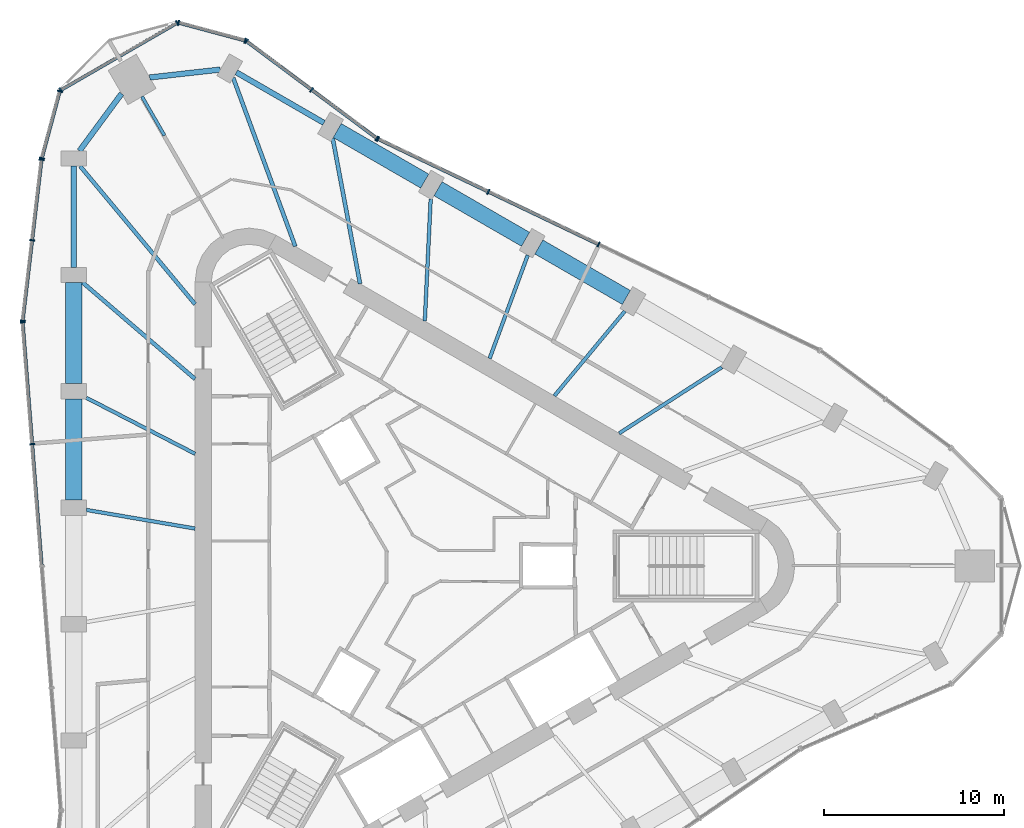
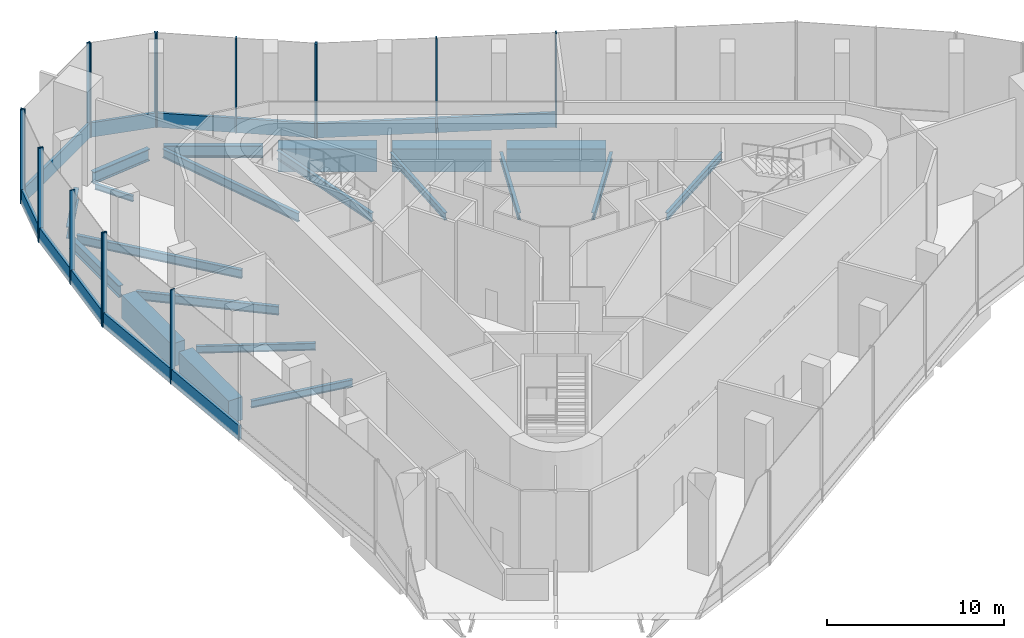
# One storey, part 4 of 13: 28 members, 20 beams, 7 elements without a shape of their own.
"""IFC4 building model written with IfcOpenShell, lengths in metres."""

from ifc_helpers import new_model, si_unit, direction, frame, origin, origin_2d, place, context, subcontext, project, spatial, rectangle, i_section, extrude, material, material_profile, profile_set, type_object, element, aggregate, save


model = new_model("IFC4")

# Units and contexts
model_context = context("Model", 3, precision=1e-05, world=origin(), true_north=direction((0.0, 1.0)))
body_context = subcontext(model_context, "Body", "Model", "MODEL_VIEW")
ifc_project = project(units=[si_unit("LENGTHUNIT", "METRE"), si_unit("AREAUNIT", "SQUARE_METRE"), si_unit("VOLUMEUNIT", "CUBIC_METRE"), si_unit("PLANEANGLEUNIT", "RADIAN"), si_unit("MASSUNIT", "GRAM", prefix="KILO")], contexts=[model_context])

# Site, building, storey
site_placement = place(None, origin())
site = spatial("IfcSite", under=ifc_project, at=site_placement, CompositionType="ELEMENT")
building_placement = place(site_placement, origin())
building = spatial("IfcBuilding", under=site, at=building_placement, Name="Tanit Gate Tower", CompositionType="ELEMENT")
storey_placement = place(building_placement, frame((0.0, 0.0, 398.300048828125)))
storey = spatial("IfcBuildingStorey", under=building, at=storey_placement, Name="L91", CompositionType="ELEMENT", Elevation=398.300048828125)

# Beams
ifc_material_1 = material(Name="Steel S460", Category="steel")
ifc_material_profile_1 = material_profile(ifc_material_1, i_section(OverallWidth=0.302978515625, OverallDepth=0.81396484375, WebThickness=0.02099609375, FlangeThickness=0.0400390625, FilletRadius=0.030029296875, at=origin_2d()), Name="HEM 800")
ifc_profile_set_1 = profile_set([ifc_material_profile_1], Name="Steel S460")
beam_type_1 = type_object("IfcBeamType", Name="BELT TRUSS CHORD HEM 800 S460", PredefinedType="BEAM", material=ifc_profile_set_1)
beam_1_placement = place(storey_placement, frame((-4.94580078125, 24.60302734375, -0.70703125), z_axis=(-0.866032056001, 0.499988477847, 0.0), x_axis=(-0.499988477847, -0.866032056001, 0.0)))
element("IfcBeam", 1, at=beam_1_placement, inside=storey, type_object=beam_type_1, Name="BELT TRUSS CHORD", PredefinedType="BEAM", context=body_context, shape_type="SweptSolid", body=[
    extrude(i_section(OverallWidth=0.302978515625, OverallDepth=0.81396484375, WebThickness=0.02099609375, FlangeThickness=0.0400390625, FilletRadius=0.030029296875, at=origin_2d()), origin(), (0.0, 0.0, 1.0), 5.614013671875),
])
for number, where, z_axis, x_axis, name in (
    (2, (-10.7001953125, 27.563720703125, -0.70703125), (-0.993813360322, -0.111063066977, 0.0), (0.111063066977, -0.993813360322, 0.0), "BELT TRUSS CHORD"),
    (3, (-16.180419921875, 26.225341796875, -0.70703125), (-0.593167379539, -0.805079163717, 0.0), (0.805079163717, -0.593167379539, 0.0), "BELT TRUSS CHORD"),
):
    element("IfcBeam", number, at=place(storey_placement, frame(where, z_axis=z_axis, x_axis=x_axis)), inside=storey, type_object=beam_type_1, Name=name, PredefinedType="BEAM", context=body_context, shape_type="SweptSolid", body=[
        extrude(i_section(OverallWidth=0.302978515625, OverallDepth=0.81396484375, WebThickness=0.02099609375, FlangeThickness=0.0400390625, FilletRadius=0.030029296875, at=origin_2d()), origin(), (0.0, 0.0, 1.0), 3.94580078125),
    ])
beam_2_placement = place(storey_placement, frame((-18.833984375, 22.198486328125, -0.70703125), z_axis=(0.0, -1.0, 0.0), x_axis=(1.0, 0.0, 0.0)))
element("IfcBeam", 4, at=beam_2_placement, inside=storey, type_object=beam_type_1, Name="BELT TRUSS CHORD", PredefinedType="BEAM", context=body_context, shape_type="SweptSolid", body=[
    extrude(i_section(OverallWidth=0.302978515625, OverallDepth=0.81396484375, WebThickness=0.02099609375, FlangeThickness=0.0400390625, FilletRadius=0.030029296875, at=origin_2d()), origin(), (0.0, 0.0, 1.0), 5.61376953125),
])

# Curtain wall, members
ifc_material_2 = material(Name="Aluminium bronze anodised and glass", Category="aluminium")
curtain_wall_type = type_object("IfcCurtainWallType", Name="Curtain wall observation", PredefinedType="NOTDEFINED", material=ifc_material_2)
curtain_wall_1_placement = place(storey_placement, origin())
curtain_wall_1 = element("IfcCurtainWall", 5, at=curtain_wall_1_placement, inside=storey, type_object=curtain_wall_type, Name="Curtain wall L91 NE2", PredefinedType="NOTDEFINED")
ifc_material_3 = material(Name="Aluminium bronze anodised", Category="aluminium")
ifc_material_profile_2 = material_profile(ifc_material_3, rectangle(XDim=0.300048828125, YDim=0.080078125, at=origin_2d()), Name="80x300 bronze mullion")
ifc_profile_set_2 = profile_set([ifc_material_profile_2], Name="Aluminium bronze anodised")
member_type_1 = type_object("IfcMemberType", Name="Mullion 80x300 observation", PredefinedType="MULLION", material=ifc_profile_set_2)
member_1_placement = place(storey_placement, frame((10.3046875, 17.85302734375, -0.300048828125), z_axis=(0.0, 0.0, 1.0), x_axis=(-0.431072811819, -0.902317145415, 0.0)))
member_1 = element("IfcMember", 6, at=member_1_placement, type_object=member_type_1, Name="Mullion L91 NE2.3", PredefinedType="MULLION", context=body_context, shape_type="SweptSolid", body=[
    extrude(rectangle(XDim=0.300048828125, YDim=0.080078125, at=origin_2d()), origin(), (0.0, 0.0, 1.0), 6.5),
])
member_2_placement = place(storey_placement, frame((4.179931640625, 20.779052734375, -0.300048828125), z_axis=(0.0, 0.0, 1.0), x_axis=(-0.431072811819, -0.902317145415, 0.0)))
member_2 = element("IfcMember", 7, at=member_2_placement, type_object=member_type_1, Name="Mullion L91 NE2.4", PredefinedType="MULLION", context=body_context, shape_type="SweptSolid", body=[
    extrude(rectangle(XDim=0.300048828125, YDim=0.080078125, at=origin_2d()), origin(), (0.0, 0.0, 1.0), 6.5),
])
member_3_placement = place(storey_placement, frame((-1.94482421875, 23.704833984375, -0.300048828125), z_axis=(0.0, 0.0, 1.0), x_axis=(-0.431072811819, -0.902317145415, 0.0)))
member_3 = element("IfcMember", 8, at=member_3_placement, type_object=member_type_1, Name="Mullion L91 NE2.5", PredefinedType="MULLION", context=body_context, shape_type="SweptSolid", body=[
    extrude(rectangle(XDim=0.300048828125, YDim=0.080078125, at=origin_2d()), origin(), (0.0, 0.0, 1.0), 6.5),
])

curtain_wall_2_placement = place(storey_placement, origin())
curtain_wall_2 = element("IfcCurtainWall", 9, at=curtain_wall_2_placement, inside=storey, type_object=curtain_wall_type, Name="Curtain wall L91 NE3", PredefinedType="NOTDEFINED")
member_4_placement = place(storey_placement, frame((-2.012939453125, 23.74609375, -0.300048828125), z_axis=(0.0, 0.0, 1.0), x_axis=(-0.59734052401, -0.801987717098, 0.0)))
member_4 = element("IfcMember", 10, at=member_4_placement, type_object=member_type_1, Name="Mullion L91 NE3.1", PredefinedType="MULLION", context=body_context, shape_type="SweptSolid", body=[
    extrude(rectangle(XDim=0.300048828125, YDim=0.080078125, at=origin_2d()), origin(), (0.0, 0.0, 1.0), 6.5),
])
member_5_placement = place(storey_placement, frame((-5.6298828125, 26.440185546875, -0.300048828125), z_axis=(0.0, 0.0, 1.0), x_axis=(-0.59734052401, -0.801987717098, 0.0)))
member_5 = element("IfcMember", 11, at=member_5_placement, type_object=member_type_1, Name="Mullion L91 NE3.2", PredefinedType="MULLION", context=body_context, shape_type="SweptSolid", body=[
    extrude(rectangle(XDim=0.300048828125, YDim=0.080078125, at=origin_2d()), origin(), (0.0, 0.0, 1.0), 6.5),
])
member_6_placement = place(storey_placement, frame((-9.246826171875, 29.134033203125, -0.300048828125), z_axis=(0.0, 0.0, 1.0), x_axis=(-0.59734052401, -0.801987717098, 0.0)))
member_6 = element("IfcMember", 12, at=member_6_placement, type_object=member_type_1, Name="Mullion L91 NE3.3", PredefinedType="MULLION", context=body_context, shape_type="SweptSolid", body=[
    extrude(rectangle(XDim=0.300048828125, YDim=0.080078125, at=origin_2d()), origin(), (0.0, 0.0, 1.0), 6.5),
])

curtain_wall_3_placement = place(storey_placement, origin())
curtain_wall_3 = element("IfcCurtainWall", 13, at=curtain_wall_3_placement, inside=storey, type_object=curtain_wall_type, Name="Curtain wall L91 NW.arc1", PredefinedType="NOTDEFINED")
member_7_placement = place(storey_placement, frame((-9.317626953125, 29.16845703125, -0.300048828125), z_axis=(0.0, 0.0, 1.0), x_axis=(-0.258819045103, -0.965925826289, 0.0)))
member_7 = element("IfcMember", 14, at=member_7_placement, type_object=member_type_1, Name="Mullion L91 NW.arc1.1", PredefinedType="MULLION", context=body_context, shape_type="SweptSolid", body=[
    extrude(rectangle(XDim=0.300048828125, YDim=0.080078125, at=origin_2d()), origin(), (0.0, 0.0, 1.0), 6.5),
])
member_8_placement = place(storey_placement, frame((-13.023193359375, 30.161376953125, -0.300048828125), z_axis=(0.0, 0.0, 1.0), x_axis=(-0.258819045103, -0.965925826289, 0.0)))
member_8 = element("IfcMember", 15, at=member_8_placement, type_object=member_type_1, Name="Mullion L91 NW.arc1.2", PredefinedType="MULLION", context=body_context, shape_type="SweptSolid", body=[
    extrude(rectangle(XDim=0.300048828125, YDim=0.080078125, at=origin_2d()), origin(), (0.0, 0.0, 1.0), 6.5),
])

curtain_wall_4_placement = place(storey_placement, origin())
curtain_wall_4 = element("IfcCurtainWall", 16, at=curtain_wall_4_placement, inside=storey, type_object=curtain_wall_type, Name="Curtain wall L91 NW.arc2", PredefinedType="NOTDEFINED")
member_9_placement = place(storey_placement, frame((-13.096435546875, 30.151611328125, -0.300048828125), z_axis=(0.0, 0.0, 1.0), x_axis=(0.5, -0.866025403784, 0.0)))
member_9 = element("IfcMember", 17, at=member_9_placement, type_object=member_type_1, Name="Mullion L91 NW.arc2.1", PredefinedType="MULLION", context=body_context, shape_type="SweptSolid", body=[
    extrude(rectangle(XDim=0.300048828125, YDim=0.080078125, at=origin_2d()), origin(), (0.0, 0.0, 1.0), 6.5),
])
member_10_placement = place(storey_placement, frame((-19.56396484375, 26.417724609375, -0.300048828125), z_axis=(0.0, 0.0, 1.0), x_axis=(0.5, -0.866025403784, 0.0)))
member_10 = element("IfcMember", 18, at=member_10_placement, type_object=member_type_1, Name="Mullion L91 NW.arc2.2", PredefinedType="MULLION", context=body_context, shape_type="SweptSolid", body=[
    extrude(rectangle(XDim=0.300048828125, YDim=0.080078125, at=origin_2d()), origin(), (0.0, 0.0, 1.0), 6.5),
])

curtain_wall_5_placement = place(storey_placement, origin())
curtain_wall_5 = element("IfcCurtainWall", 19, at=curtain_wall_5_placement, inside=storey, type_object=curtain_wall_type, Name="Curtain wall L91 NW.arc3", PredefinedType="NOTDEFINED")
member_11_placement = place(storey_placement, frame((-19.60888671875, 26.35888671875, -0.300048828125), z_axis=(0.0, 0.0, 1.0), x_axis=(0.965925826289, -0.258819045103, 0.0)))
member_11 = element("IfcMember", 20, at=member_11_placement, type_object=member_type_1, Name="Mullion L91 NW.arc3.1", PredefinedType="MULLION", context=body_context, shape_type="SweptSolid", body=[
    extrude(rectangle(XDim=0.300048828125, YDim=0.080078125, at=origin_2d()), origin(), (0.0, 0.0, 1.0), 6.5),
])
member_12_placement = place(storey_placement, frame((-20.60546875, 22.6396484375, -0.300048828125), z_axis=(0.0, 0.0, 1.0), x_axis=(0.965925826289, -0.258819045103, 0.0)))
member_12 = element("IfcMember", 21, at=member_12_placement, type_object=member_type_1, Name="Mullion L91 NW.arc3.2", PredefinedType="MULLION", context=body_context, shape_type="SweptSolid", body=[
    extrude(rectangle(XDim=0.300048828125, YDim=0.080078125, at=origin_2d()), origin(), (0.0, 0.0, 1.0), 6.5),
])

curtain_wall_6_placement = place(storey_placement, origin())
curtain_wall_6 = element("IfcCurtainWall", 22, at=curtain_wall_6_placement, inside=storey, type_object=curtain_wall_type, Name="Curtain wall L91 W1", PredefinedType="NOTDEFINED")
member_13_placement = place(storey_placement, frame((-20.620361328125, 22.561279296875, -0.300048828125), z_axis=(0.0, 0.0, 1.0), x_axis=(0.993211998535, -0.116318209953, 0.0)))
member_13 = element("IfcMember", 23, at=member_13_placement, type_object=member_type_1, Name="Mullion L91 W1.1", PredefinedType="MULLION", context=body_context, shape_type="SweptSolid", body=[
    extrude(rectangle(XDim=0.300048828125, YDim=0.080078125, at=origin_2d()), origin(), (0.0, 0.0, 1.0), 6.5),
])
member_14_placement = place(storey_placement, frame((-21.14453125, 18.08642578125, -0.300048828125), z_axis=(0.0, 0.0, 1.0), x_axis=(0.993211998535, -0.116318209953, 0.0)))
member_14 = element("IfcMember", 24, at=member_14_placement, type_object=member_type_1, Name="Mullion L91 W1.2", PredefinedType="MULLION", context=body_context, shape_type="SweptSolid", body=[
    extrude(rectangle(XDim=0.300048828125, YDim=0.080078125, at=origin_2d()), origin(), (0.0, 0.0, 1.0), 6.5),
])
member_15_placement = place(storey_placement, frame((-21.668701171875, 13.611572265625, -0.300048828125), z_axis=(0.0, 0.0, 1.0), x_axis=(0.993211998535, -0.116318209953, 0.0)))
member_15 = element("IfcMember", 25, at=member_15_placement, type_object=member_type_1, Name="Mullion L91 W1.3", PredefinedType="MULLION", context=body_context, shape_type="SweptSolid", body=[
    extrude(rectangle(XDim=0.300048828125, YDim=0.080078125, at=origin_2d()), origin(), (0.0, 0.0, 1.0), 6.5),
])

curtain_wall_7_placement = place(storey_placement, origin())
curtain_wall_7 = element("IfcCurtainWall", 26, at=curtain_wall_7_placement, inside=storey, type_object=curtain_wall_type, Name="Curtain wall L91 W2", PredefinedType="NOTDEFINED")
member_16_placement = place(storey_placement, frame((-21.670166015625, 13.531982421875, -0.300048828125), z_axis=(0.0, 0.0, 1.0), x_axis=(0.996965976109, 0.077838566791, 0.0)))
member_16 = element("IfcMember", 27, at=member_16_placement, type_object=member_type_1, Name="Mullion L91 W2.1", PredefinedType="MULLION", context=body_context, shape_type="SweptSolid", body=[
    extrude(rectangle(XDim=0.300048828125, YDim=0.080078125, at=origin_2d()), origin(), (0.0, 0.0, 1.0), 6.5),
])
member_17_placement = place(storey_placement, frame((-21.141845703125, 6.764892578125, -0.300048828125), z_axis=(0.0, 0.0, 1.0), x_axis=(0.996965976109, 0.077838566791, 0.0)))
member_17 = element("IfcMember", 28, at=member_17_placement, type_object=member_type_1, Name="Mullion L91 W2.2", PredefinedType="MULLION", context=body_context, shape_type="SweptSolid", body=[
    extrude(rectangle(XDim=0.300048828125, YDim=0.080078125, at=origin_2d()), origin(), (0.0, 0.0, 1.0), 6.5),
])

# Beams
ifc_material_4 = material(Name="Steel S355", Category="steel")
ifc_material_profile_3 = material_profile(ifc_material_4, i_section(OverallWidth=0.179931640625, OverallDepth=0.39990234375, WebThickness=0.008544921875, FlangeThickness=0.013427734375, FilletRadius=0.02099609375, at=origin_2d()), Name="IPE 400")
ifc_profile_set_3 = profile_set([ifc_material_profile_3], Name="Steel S355")
beam_type_2 = type_object("IfcBeamType", Name="RADIAL GIRDER IPE 400 S355", PredefinedType="BEAM", material=ifc_profile_set_3)
beam_3_placement = place(storey_placement, frame((-15.0478515625, 26.063720703125, -0.5), z_axis=(0.499965672037, -0.866045222136, 0.0), x_axis=(0.866045222136, 0.499965672037, 0.0)))
element("IfcBeam", 29, at=beam_3_placement, inside=storey, type_object=beam_type_2, Name="RADIAL GIRDER", PredefinedType="BEAM", context=body_context, shape_type="SweptSolid", body=[
    extrude(i_section(OverallWidth=0.179931640625, OverallDepth=0.39990234375, WebThickness=0.008544921875, FlangeThickness=0.013427734375, FilletRadius=0.02099609375, at=origin_2d()), origin(), (0.0, 0.0, 1.0), 2.490966796875),
])
ifc_material_5 = material(Name="Steel S355", Category="steel")
ifc_material_profile_4 = material_profile(ifc_material_5, i_section(OverallWidth=0.199951171875, OverallDepth=0.5, WebThickness=0.01025390625, FlangeThickness=0.01611328125, FilletRadius=0.02099609375, at=origin_2d()), Name="IPE 500")
ifc_profile_set_4 = profile_set([ifc_material_profile_4], Name="Steel S355")
beam_type_3 = type_object("IfcBeamType", Name="RADIAL GIRDER IPE 500 S355", PredefinedType="BEAM", material=ifc_profile_set_4)
beam_4_placement = place(storey_placement, frame((17.151611328125, 11.036865234375, -0.550048828125), z_axis=(-0.840921151668, -0.541157663419, 0.0), x_axis=(0.541157663419, -0.840921151668, 0.0)))
element("IfcBeam", 30, at=beam_4_placement, inside=storey, type_object=beam_type_3, Name="RADIAL GIRDER", PredefinedType="BEAM", context=body_context, shape_type="SweptSolid", body=[
    extrude(i_section(OverallWidth=0.199951171875, OverallDepth=0.5, WebThickness=0.01025390625, FlangeThickness=0.01611328125, FilletRadius=0.02099609375, at=origin_2d()), origin(), (0.0, 0.0, 1.0), 6.784423828125),
])
beam_5_placement = place(storey_placement, frame((11.761962890625, 14.1484375, -0.550048828125), z_axis=(-0.639281465972, -0.76897282609, 0.0), x_axis=(0.76897282609, -0.639281465972, 0.0)))
element("IfcBeam", 31, at=beam_5_placement, inside=storey, type_object=beam_type_3, Name="RADIAL GIRDER", PredefinedType="BEAM", context=body_context, shape_type="SweptSolid", body=[
    extrude(i_section(OverallWidth=0.199951171875, OverallDepth=0.5, WebThickness=0.01025390625, FlangeThickness=0.01611328125, FilletRadius=0.02099609375, at=origin_2d()), origin(), (0.0, 0.0, 1.0), 6.119873046875),
])
beam_6_placement = place(storey_placement, frame((6.3720703125, 17.260498046875, -0.550048828125), z_axis=(-0.346331956525, -0.938112027366, 0.0), x_axis=(0.938112027366, -0.346331956525, 0.0)))
element("IfcBeam", 32, at=beam_6_placement, inside=storey, type_object=beam_type_3, Name="RADIAL GIRDER", PredefinedType="BEAM", context=body_context, shape_type="SweptSolid", body=[
    extrude(i_section(OverallWidth=0.199951171875, OverallDepth=0.5, WebThickness=0.01025390625, FlangeThickness=0.01611328125, FilletRadius=0.02099609375, at=origin_2d()), origin(), (0.0, 0.0, 1.0), 6.1201171875),
])
for number, where, z_axis, x_axis, name in (
    (33, (0.982177734375, 20.372314453125, -0.550048828125), (-0.048148149824, -0.998840205272, 0.0), (0.998840205272, -0.048148149824, 0.0), "RADIAL GIRDER"),
    (34, (-18.134033203125, 9.33544921875, -0.550048828125), (0.889089509104, -0.457733377416, 0.0), (0.457733377416, 0.889089509104, 0.0), "RADIAL GIRDER"),
):
    element("IfcBeam", number, at=place(storey_placement, frame(where, z_axis=z_axis, x_axis=x_axis)), inside=storey, type_object=beam_type_3, Name=name, PredefinedType="BEAM", context=body_context, shape_type="SweptSolid", body=[
        extrude(i_section(OverallWidth=0.199951171875, OverallDepth=0.5, WebThickness=0.01025390625, FlangeThickness=0.01611328125, FilletRadius=0.02099609375, at=origin_2d()), origin(), (0.0, 0.0, 1.0), 6.784423828125),
    ])
beam_7_placement = place(storey_placement, frame((-18.134033203125, 3.11181640625, -0.550048828125), z_axis=(0.985592249699, -0.169138751719, 0.0), x_axis=(0.169138751719, 0.985592249699, 0.0)))
element("IfcBeam", 35, at=beam_7_placement, inside=storey, type_object=beam_type_3, Name="RADIAL GIRDER", PredefinedType="BEAM", context=body_context, shape_type="SweptSolid", body=[
    extrude(i_section(OverallWidth=0.199951171875, OverallDepth=0.5, WebThickness=0.01025390625, FlangeThickness=0.01611328125, FilletRadius=0.02099609375, at=origin_2d()), origin(), (0.0, 0.0, 1.0), 6.1201171875),
])
ifc_material_6 = material(Name="Steel S355", Category="steel")
ifc_material_profile_5 = material_profile(ifc_material_6, i_section(OverallWidth=0.219970703125, OverallDepth=0.60009765625, WebThickness=0.011962890625, FlangeThickness=0.01904296875, FilletRadius=0.02392578125, at=origin_2d()), Name="IPE 600")
ifc_profile_set_5 = profile_set([ifc_material_profile_5], Name="Steel S355")
beam_type_4 = type_object("IfcBeamType", Name="RADIAL GIRDER IPE 600 S355", PredefinedType="BEAM", material=ifc_profile_set_5)
beam_8_placement = place(storey_placement, frame((-4.45751953125, 23.7490234375, -0.60009765625), z_axis=(0.184498405984, -0.982832812939, 0.0), x_axis=(0.982832812939, 0.184498405984, 0.0)))
element("IfcBeam", 36, at=beam_8_placement, inside=storey, type_object=beam_type_4, Name="RADIAL GIRDER", PredefinedType="BEAM", context=body_context, shape_type="SweptSolid", body=[
    extrude(i_section(OverallWidth=0.219970703125, OverallDepth=0.60009765625, WebThickness=0.011962890625, FlangeThickness=0.01904296875, FilletRadius=0.02392578125, at=origin_2d()), origin(), (0.0, 0.0, 1.0), 8.217529296875),
])
for number, where, z_axis, x_axis, name in (
    (37, (-9.984619140625, 27.103515625, -0.60009765625), (0.345682660263, -0.938351479134, 0.0), (0.938351479134, 0.345682660263, 0.0), "RADIAL GIRDER"),
    (38, (-18.480224609375, 22.198486328125, -0.60009765625), (0.639810946261, -0.768532337019, 0.0), (0.768532337019, 0.639810946261, 0.0), "RADIAL GIRDER"),
):
    element("IfcBeam", number, at=place(storey_placement, frame(where, z_axis=z_axis, x_axis=x_axis)), inside=storey, type_object=beam_type_4, Name=name, PredefinedType="BEAM", context=body_context, shape_type="SweptSolid", body=[
        extrude(i_section(OverallWidth=0.219970703125, OverallDepth=0.60009765625, WebThickness=0.011962890625, FlangeThickness=0.01904296875, FilletRadius=0.02392578125, at=origin_2d()), origin(), (0.0, 0.0, 1.0), 9.96875),
    ])
beam_9_placement = place(storey_placement, frame((-18.338623046875, 15.734619140625, -0.60009765625), z_axis=(0.758929352331, -0.651172971008, 0.0), x_axis=(0.651172971008, 0.758929352331, 0.0)))
element("IfcBeam", 39, at=beam_9_placement, inside=storey, type_object=beam_type_4, Name="RADIAL GIRDER", PredefinedType="BEAM", context=body_context, shape_type="SweptSolid", body=[
    extrude(i_section(OverallWidth=0.219970703125, OverallDepth=0.60009765625, WebThickness=0.011962890625, FlangeThickness=0.01904296875, FilletRadius=0.02392578125, at=origin_2d()), origin(), (0.0, 0.0, 1.0), 8.217529296875),
])
ifc_material_7 = material(Name="Concrete C60/75", Category="concrete")
ifc_material_profile_6 = material_profile(ifc_material_7, rectangle(XDim=0.89990234375, YDim=1.60009765625, at=origin_2d()), Name="RC 900x1600")
ifc_profile_set_6 = profile_set([ifc_material_profile_6], Name="Concrete C60/75")
beam_type_5 = type_object("IfcBeamType", Name="TRANSFER GIRDER 900x1600 C60/75", PredefinedType="USERDEFINED", material=ifc_profile_set_6)
for number, where, z_axis, x_axis, name in (
    (40, (11.847900390625, 14.9072265625, -1.10009765625), (-0.866032056001, 0.499988477847, 0.0), (-0.499988477847, -0.866032056001, 0.0), "TRANSFER GIRDER"),
    (41, (6.25, 18.13916015625, -1.10009765625), (-0.866032056001, 0.499988477847, 0.0), (-0.499988477847, -0.866032056001, 0.0), "TRANSFER GIRDER"),
    (42, (0.652099609375, 21.37109375, -1.10009765625), (-0.866032056001, 0.499988477847, 0.0), (-0.499988477847, -0.866032056001, 0.0), "TRANSFER GIRDER"),
):
    element("IfcBeam", number, at=place(storey_placement, frame(where, z_axis=z_axis, x_axis=x_axis)), inside=storey, type_object=beam_type_5, Name=name, ObjectType="GIRDER", PredefinedType="USERDEFINED", context=body_context, shape_type="SweptSolid", body=[
        extrude(rectangle(XDim=0.89990234375, YDim=1.60009765625, at=origin_2d()), origin(), (0.0, 0.0, 1.0), 5.614013671875),
    ])
for number, where, z_axis, x_axis, name in (
    (43, (-18.833984375, 15.734619140625, -1.10009765625), (0.0, -1.0, 0.0), (1.0, 0.0, 0.0), "TRANSFER GIRDER"),
    (44, (-18.833984375, 9.270751953125, -1.10009765625), (0.0, -1.0, 0.0), (1.0, 0.0, 0.0), "TRANSFER GIRDER"),
):
    element("IfcBeam", number, at=place(storey_placement, frame(where, z_axis=z_axis, x_axis=x_axis)), inside=storey, type_object=beam_type_5, Name=name, ObjectType="GIRDER", PredefinedType="USERDEFINED", context=body_context, shape_type="SweptSolid", body=[
        extrude(rectangle(XDim=0.89990234375, YDim=1.60009765625, at=origin_2d()), origin(), (0.0, 0.0, 1.0), 5.61376953125),
    ])

# Member
ifc_material_8 = material(Name="Aluminium bronze anodised", Category="aluminium")
ifc_material_profile_7 = material_profile(ifc_material_8, rectangle(XDim=0.179931640625, YDim=1.0, at=origin_2d()), Name="180x1000 bronze transom")
ifc_profile_set_7 = profile_set([ifc_material_profile_7], Name="Aluminium bronze anodised")
member_type_2 = type_object("IfcMemberType", Name="Transom 180x1000 observation", PredefinedType="USERDEFINED", material=ifc_profile_set_7)
member_18_placement = place(storey_placement, frame((10.2685546875, 17.8701171875, 0.199951171875), z_axis=(-0.902312153024, 0.431083261685, 0.0), x_axis=(-0.431083261685, -0.902312153024, 0.0)))
member_18 = element("IfcMember", 45, at=member_18_placement, type_object=member_type_2, Name="Transom L91 NE2.3", ObjectType="TRANSOM", PredefinedType="USERDEFINED", context=body_context, shape_type="SweptSolid", body=[
    extrude(rectangle(XDim=0.179931640625, YDim=1.0, at=origin_2d()), origin(), (0.0, 0.0, 1.0), 6.707763671875),
])

member_19_placement = place(storey_placement, frame((4.14404296875, 20.796142578125, 0.199951171875), z_axis=(-0.902318916403, 0.431069104787, 0.0), x_axis=(-0.431069104787, -0.902318916403, 0.0)))
member_19 = element("IfcMember", 46, at=member_19_placement, type_object=member_type_2, Name="Transom L91 NE2.4", ObjectType="TRANSOM", PredefinedType="USERDEFINED", context=body_context, shape_type="SweptSolid", body=[
    extrude(rectangle(XDim=0.179931640625, YDim=1.0, at=origin_2d()), origin(), (0.0, 0.0, 1.0), 6.7080078125),
])

aggregate(curtain_wall_1, [member_1, member_2, member_3, member_18, member_19])

member_20_placement = place(storey_placement, frame((-2.044921875, 23.77001953125, 0.199951171875), z_axis=(-0.801979633129, 0.59735137737, 0.0), x_axis=(-0.59735137737, -0.801979633129, 0.0)))
member_20 = element("IfcMember", 47, at=member_20_placement, type_object=member_type_2, Name="Transom L91 NE3.1", ObjectType="TRANSOM", PredefinedType="USERDEFINED", context=body_context, shape_type="SweptSolid", body=[
    extrude(rectangle(XDim=0.179931640625, YDim=1.0, at=origin_2d()), origin(), (0.0, 0.0, 1.0), 4.429931640625),
])

member_21_placement = place(storey_placement, frame((-5.661865234375, 26.4638671875, 0.199951171875), z_axis=(-0.801999297117, 0.597324976393, 0.0), x_axis=(-0.597324976393, -0.801999297117, 0.0)))
member_21 = element("IfcMember", 48, at=member_21_placement, type_object=member_type_2, Name="Transom L91 NE3.2", ObjectType="TRANSOM", PredefinedType="USERDEFINED", context=body_context, shape_type="SweptSolid", body=[
    extrude(rectangle(XDim=0.179931640625, YDim=1.0, at=origin_2d()), origin(), (0.0, 0.0, 1.0), 4.43017578125),
])

aggregate(curtain_wall_2, [member_4, member_5, member_6, member_20, member_21])

member_22_placement = place(storey_placement, frame((-9.356201171875, 29.1787109375, 0.199951171875), z_axis=(-0.96592571171, 0.258819472716, 0.0), x_axis=(-0.258819472716, -0.96592571171, 0.0)))
member_22 = element("IfcMember", 49, at=member_22_placement, type_object=member_type_2, Name="Transom L91 NW.arc1.1", ObjectType="TRANSOM", PredefinedType="USERDEFINED", context=body_context, shape_type="SweptSolid", body=[
    extrude(rectangle(XDim=0.179931640625, YDim=1.0, at=origin_2d()), origin(), (0.0, 0.0, 1.0), 3.756103515625),
])

aggregate(curtain_wall_3, [member_7, member_8, member_22])

member_23_placement = place(storey_placement, frame((-13.131103515625, 30.131591796875, 0.199951171875), z_axis=(-0.866019944892, -0.500009454961, 0.0), x_axis=(0.500009454961, -0.866019944892, 0.0)))
member_23 = element("IfcMember", 50, at=member_23_placement, type_object=member_type_2, Name="Transom L91 NW.arc2.1", ObjectType="TRANSOM", PredefinedType="USERDEFINED", context=body_context, shape_type="SweptSolid", body=[
    extrude(rectangle(XDim=0.179931640625, YDim=1.0, at=origin_2d()), origin(), (0.0, 0.0, 1.0), 7.387939453125),
])

aggregate(curtain_wall_4, [member_9, member_10, member_23])

member_24_placement = place(storey_placement, frame((-19.619140625, 26.3203125, 0.199951171875), z_axis=(-0.258802972312, -0.965930132837, 0.0), x_axis=(0.965930132837, -0.258802972312, 0.0)))
member_24 = element("IfcMember", 51, at=member_24_placement, type_object=member_type_2, Name="Transom L91 NW.arc3.1", ObjectType="TRANSOM", PredefinedType="USERDEFINED", context=body_context, shape_type="SweptSolid", body=[
    extrude(rectangle(XDim=0.179931640625, YDim=1.0, at=origin_2d()), origin(), (0.0, 0.0, 1.0), 3.7705078125),
])

aggregate(curtain_wall_5, [member_11, member_12, member_24])

member_25_placement = place(storey_placement, frame((-20.625, 22.521484375, 0.199951171875), z_axis=(-0.116351490512, -0.993208100378, 0.0), x_axis=(0.993208100378, -0.116351490512, 0.0)))
member_25 = element("IfcMember", 52, at=member_25_placement, type_object=member_type_2, Name="Transom L91 W1.1", ObjectType="TRANSOM", PredefinedType="USERDEFINED", context=body_context, shape_type="SweptSolid", body=[
    extrude(rectangle(XDim=0.179931640625, YDim=1.0, at=origin_2d()), origin(), (0.0, 0.0, 1.0), 4.42529296875),
])

member_26_placement = place(storey_placement, frame((-21.149169921875, 18.046630859375, 0.199951171875), z_axis=(-0.116351490512, -0.993208100378, 0.0), x_axis=(0.993208100378, -0.116351490512, 0.0)))
member_26 = element("IfcMember", 53, at=member_26_placement, type_object=member_type_2, Name="Transom L91 W1.2", ObjectType="TRANSOM", PredefinedType="USERDEFINED", context=body_context, shape_type="SweptSolid", body=[
    extrude(rectangle(XDim=0.179931640625, YDim=1.0, at=origin_2d()), origin(), (0.0, 0.0, 1.0), 4.42529296875),
])

aggregate(curtain_wall_6, [member_13, member_14, member_15, member_25, member_26])

member_27_placement = place(storey_placement, frame((-21.6669921875, 13.4921875, 0.199951171875), z_axis=(0.077851491829, -0.996964966897, 0.0), x_axis=(0.996964966897, 0.077851491829, 0.0)))
member_27 = element("IfcMember", 54, at=member_27_placement, type_object=member_type_2, Name="Transom L91 W2.1", ObjectType="TRANSOM", PredefinedType="USERDEFINED", context=body_context, shape_type="SweptSolid", body=[
    extrude(rectangle(XDim=0.179931640625, YDim=1.0, at=origin_2d()), origin(), (0.0, 0.0, 1.0), 6.707763671875),
])

member_28_placement = place(storey_placement, frame((-21.138671875, 6.72509765625, 0.199951171875), z_axis=(0.077851491829, -0.996964966897, 0.0), x_axis=(0.996964966897, 0.077851491829, 0.0)))
member_28 = element("IfcMember", 55, at=member_28_placement, type_object=member_type_2, Name="Transom L91 W2.2", ObjectType="TRANSOM", PredefinedType="USERDEFINED", context=body_context, shape_type="SweptSolid", body=[
    extrude(rectangle(XDim=0.179931640625, YDim=1.0, at=origin_2d()), origin(), (0.0, 0.0, 1.0), 6.707763671875),
])

aggregate(curtain_wall_7, [member_16, member_17, member_27, member_28])

save(model, "model.ifc")
